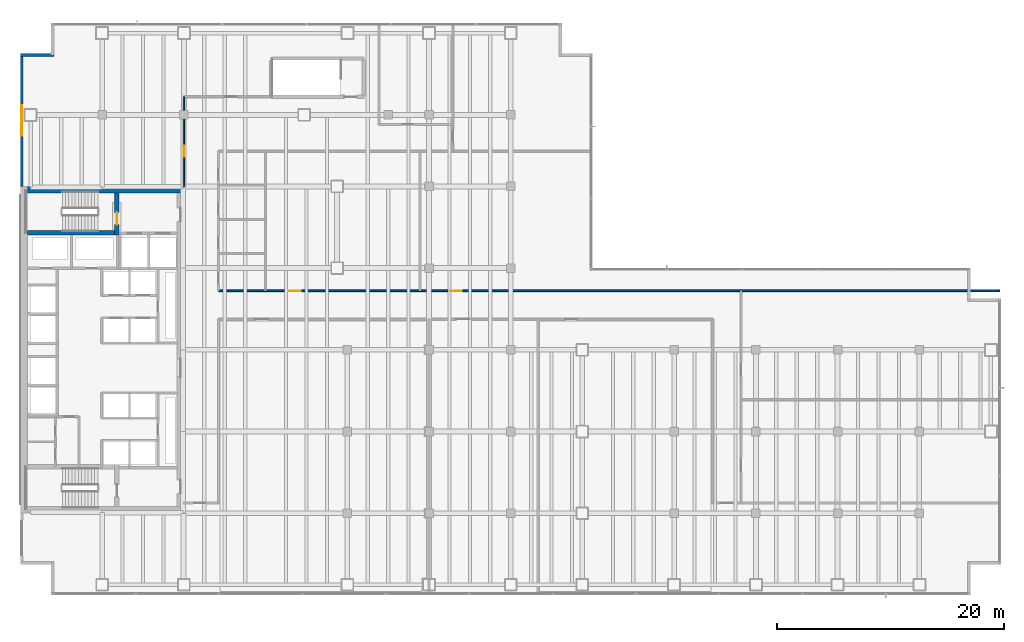
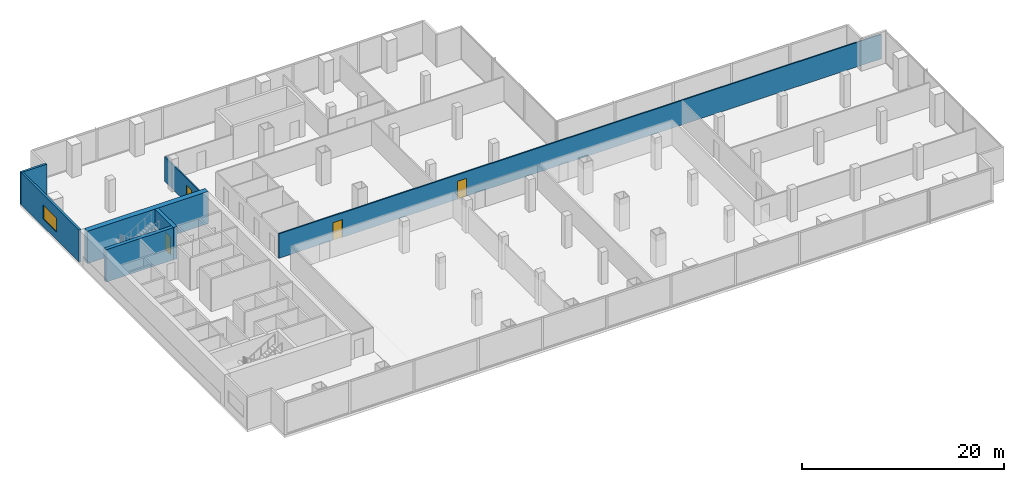
# One storey, part 24 of 32: 7 walls, 4 doors, 1 window, 5 openings.
"""IFC4 building model written with IfcOpenShell, lengths in metres."""

import ifcopenshell
import ifcopenshell.guid

model = None  # the IFC model being written
_history = None  # IfcOwnerHistory: only IFC2X3 demands one
_inside = {}  # id of a spatial element -> (the spatial element, [elements in it])
_under = {}  # id of a project, library or spatial element -> (it, [spatial elements below it])
_declared = {}  # id of a project -> (the project, [libraries it declares])
_typed = {}  # id of a type object -> (the type object, [elements of that type])
_made_of = {}  # id of a material, layer set ... -> (it, [elements and type objects made of it])


def new_model(schema):
    """Start an empty IFC model of exactly this schema.

    Asked for "IFC4X3", IfcOpenShell would pick the latest addendum, in which some entities
    have other attributes; the version numbers below select the first issue.
    IFC2X3 requires an IfcOwnerHistory on every rooted entity: one is made here for all.
    """
    global model, _history
    if schema == "IFC4X3":
        model = ifcopenshell.file(schema_version=(4, 3, 0, 0))
    else:
        model = ifcopenshell.file(schema=schema)
    _inside.clear()
    _under.clear()
    _declared.clear()
    _typed.clear()
    _made_of.clear()
    _history = None
    if model.schema == "IFC2X3":
        org = make("IfcOrganization", Name="unknown")
        user = make(
            "IfcPersonAndOrganization",
            ThePerson=make("IfcPerson", FamilyName="unknown"),
            TheOrganization=org,
        )
        app = make(
            "IfcApplication",
            ApplicationDeveloper=org,
            Version="unknown",
            ApplicationFullName="unknown",
            ApplicationIdentifier="unknown",
        )
        _history = make(
            "IfcOwnerHistory",
            OwningUser=user,
            OwningApplication=app,
            ChangeAction="ADDED",
            CreationDate=0,
        )
    return model


def make(cls, **values):
    """One entity of the class cls with the attributes given. An attribute that is None is left unset."""
    return model.create_entity(
        cls, **{name: value for name, value in values.items() if value is not None}
    )


def rooted(cls, **values):
    """An entity with a GlobalId (a new one), such as an element, a storey or a relation."""
    return make(cls, GlobalId=ifcopenshell.guid.new(), OwnerHistory=_history, **values)


def si_unit(unit_type, name, prefix=None):
    """IfcSIUnit, for example si_unit("LENGTHUNIT", "METRE", prefix="MILLI")."""
    return make("IfcSIUnit", UnitType=unit_type, Prefix=prefix, Name=name)


def assignment(units):
    """IfcUnitAssignment: the units of a project."""
    return None if units is None else make("IfcUnitAssignment", Units=units)


def point(xyz):
    """IfcCartesianPoint."""
    return None if xyz is None else make("IfcCartesianPoint", Coordinates=xyz)


def direction(xyz):
    """IfcDirection."""
    return None if xyz is None else make("IfcDirection", DirectionRatios=xyz)


def frame(location, z_axis=None, x_axis=None):
    """IfcAxis2Placement3D, a coordinate frame: its origin and axes. An axis left out is left unset."""
    return make(
        "IfcAxis2Placement3D",
        Location=point(location),
        Axis=direction(z_axis),
        RefDirection=direction(x_axis),
    )


def frame_2d(location, x_axis=None):
    """IfcAxis2Placement2D, a coordinate frame in the plane: its origin and x axis."""
    return make(
        "IfcAxis2Placement2D", Location=point(location), RefDirection=direction(x_axis)
    )


def origin():
    """The frame at (0, 0, 0) with its axes left unset."""
    return frame((0.0, 0.0, 0.0))


def place(relative_to, where):
    """IfcLocalPlacement: puts the frame where relative to a parent placement (None: the world)."""
    return make(
        "IfcLocalPlacement", PlacementRelTo=relative_to, RelativePlacement=where
    )


def context(
    kind, dimensions, precision=None, world=None, true_north=None, identifier=None
):
    """IfcGeometricRepresentationContext, for example the 3D "Model" context."""
    return make(
        "IfcGeometricRepresentationContext",
        ContextIdentifier=identifier,
        ContextType=kind,
        CoordinateSpaceDimension=dimensions,
        Precision=precision,
        WorldCoordinateSystem=world,
        TrueNorth=true_north,
    )


def subcontext(parent, identifier, kind, view, scale=None):
    """IfcGeometricRepresentationSubContext, for example "Body" below "Model"."""
    return make(
        "IfcGeometricRepresentationSubContext",
        ContextIdentifier=identifier,
        ContextType=kind,
        ParentContext=parent,
        TargetScale=scale,
        TargetView=view,
    )


def project(units=None, contexts=None):
    """IfcProject with its units and contexts."""
    return rooted(
        "IfcProject",
        Name="project",
        RepresentationContexts=contexts,
        UnitsInContext=assignment(units),
    )


def spatial(cls, under=None, at=None, **own):
    """A site, building, storey or space (cls), placed at a placement, below another one or the project."""
    s = rooted(cls, ObjectPlacement=at, **own)
    if under is not None:
        _under.setdefault(under.id(), (under, []))[1].append(s)
    return s


def profile(cls, at=None, kind="AREA", **sizes):
    """A parametric profile (cls). Its sizes go by their IFC names, for example OverallWidth=200.0."""
    return make(cls, ProfileType=kind, Position=at, **sizes)


def rectangle(**sizes):
    """IfcRectangleProfileDef."""
    return profile("IfcRectangleProfileDef", **sizes)


def extrude(swept, where, along, depth):
    """IfcExtrudedAreaSolid: the profile swept, set in the frame where, extruded along a direction by depth."""
    return make(
        "IfcExtrudedAreaSolid",
        SweptArea=swept,
        Position=where,
        ExtrudedDirection=direction(along),
        Depth=depth,
    )


def shape(context_of_items, identifier, shape_type, items):
    """IfcShapeRepresentation: the items that make up one representation, for example the "Body"."""
    return make(
        "IfcShapeRepresentation",
        ContextOfItems=context_of_items,
        RepresentationIdentifier=identifier,
        RepresentationType=shape_type,
        Items=items,
    )


def material(Name=None, Category=None):
    """IfcMaterial."""
    return make("IfcMaterial", Name=Name, Category=Category)


def layer(
    of_material, thickness, ventilated=None, Name=None, Category=None, Priority=None
):
    """IfcMaterialLayer: one layer of a wall or slab, of a material (None: an air gap)."""
    return make(
        "IfcMaterialLayer",
        Material=of_material,
        LayerThickness=thickness,
        IsVentilated=ventilated,
        Name=Name,
        Category=Category,
        Priority=Priority,
    )


def layer_set(layers, Name=None):
    """IfcMaterialLayerSet."""
    return make("IfcMaterialLayerSet", MaterialLayers=layers, LayerSetName=Name)


def made_of(thing, what):
    """Note that an element or type object is made of a material, layer set ...; save() writes the relation."""
    if what is not None:
        _made_of.setdefault(what.id(), (what, []))[1].append(thing)
    return thing


def type_object(cls, material=None, **own):
    """A type object (cls), such as IfcWallType, which elements share."""
    return made_of(rooted(cls, **own), material)


def element(
    cls,
    number,
    at=None,
    inside=None,
    cuts=None,
    type_object=None,
    material=None,
    context=None,
    identifier="Body",
    shape_type=None,
    held_by="IfcProductDefinitionShape",
    body=None,
    shapes=None,
    **own,
):
    """One element of the class cls, such as IfcWall. Its Tag is "e" and its number.

    at: its placement. inside: the storey or other place that contains it. cuts: it is an
    opening in that element (IfcRelVoidsElement). A single representation is given by context,
    identifier, shape_type and body (its items); several are given by shapes. held_by: the class
    of the entity that holds the representations. save() writes the other relations.
    """
    e = rooted(cls, Tag="e%d" % number, ObjectPlacement=at, **own)
    if body is not None:
        shapes = [shape(context, identifier, shape_type, body)]
    if shapes is not None:
        e.Representation = make(held_by, Representations=shapes)
    if inside is not None:
        _inside.setdefault(inside.id(), (inside, []))[1].append(e)
    if cuts is not None:
        rooted(
            "IfcRelVoidsElement", RelatingBuildingElement=cuts, RelatedOpeningElement=e
        )
    if type_object is not None:
        _typed.setdefault(type_object.id(), (type_object, []))[1].append(e)
    return made_of(e, material)


def fill(opening, filler):
    """IfcRelFillsElement: the door or window that sits in an opening."""
    return rooted(
        "IfcRelFillsElement",
        RelatingOpeningElement=opening,
        RelatedBuildingElement=filler,
    )


def aggregate(whole, parts):
    """IfcRelAggregates: a whole, such as a stair, and the parts it consists of."""
    return rooted("IfcRelAggregates", RelatingObject=whole, RelatedObjects=parts)


def save(model, path):
    """Write the relations noted so far, then the file.

    IfcRelAggregates (storeys below a building ...), IfcRelContainedInSpatialStructure (elements
    in a storey), IfcRelDefinesByType, IfcRelAssociatesMaterial and IfcRelDeclares: one each for
    every whole, place, type object, material and project.
    """
    for whole, parts in _under.values():
        aggregate(whole, parts)
    for where, things in _inside.values():
        rooted(
            "IfcRelContainedInSpatialStructure",
            RelatedElements=things,
            RelatingStructure=where,
        )
    for kind, things in _typed.values():
        rooted("IfcRelDefinesByType", RelatedObjects=things, RelatingType=kind)
    for what, things in _made_of.values():
        rooted("IfcRelAssociatesMaterial", RelatedObjects=things, RelatingMaterial=what)
    for by, libraries in _declared.values():
        rooted("IfcRelDeclares", RelatingContext=by, RelatedDefinitions=libraries)
    model.write(path)


model = new_model("IFC4")

# Units and contexts
model_context = context("Model", 3, precision=1e-05, world=origin(), true_north=direction((0.0, 1.0)))
body_context = subcontext(model_context, "Body", "Model", "MODEL_VIEW")
ifc_project = project(units=[si_unit("LENGTHUNIT", "METRE"), si_unit("AREAUNIT", "SQUARE_METRE"), si_unit("VOLUMEUNIT", "CUBIC_METRE"), si_unit("PLANEANGLEUNIT", "RADIAN"), si_unit("MASSUNIT", "GRAM", prefix="KILO")], contexts=[model_context])

# Site, building, storey
site_placement = place(None, origin())
site = spatial("IfcSite", under=ifc_project, at=site_placement, CompositionType="ELEMENT")
building_placement = place(site_placement, origin())
building = spatial("IfcBuilding", under=site, at=building_placement, Name="Cobrela Telecom Tower", CompositionType="ELEMENT")
storey_placement = place(building_placement, frame((0.0, 0.0, 22.050048828125)))
storey = spatial("IfcBuildingStorey", under=building, at=storey_placement, Name="L05", CompositionType="ELEMENT", Elevation=22.050048828125)

# Wall
ifc_material_1 = material(Name="Concrete C50/60", Category="concrete")
ifc_layer_1 = layer(ifc_material_1, 0.60009765625)
ifc_layer_set_1 = layer_set([ifc_layer_1], Name="Concrete C50/60")
wall_type_1 = type_object("IfcWallType", Name="WALL-CORE-C50-600", PredefinedType="SHEAR", material=ifc_layer_set_1)
wall_1_placement = place(storey_placement, frame((0.60009765625, 35.699951171875, 0.0), z_axis=(0.0, 0.0, 1.0), x_axis=(1.0, 0.0, 0.0)))
element("IfcWall", 1, at=wall_1_placement, inside=storey, type_object=wall_type_1, Name="L05 North Core Shear Wall", PredefinedType="SHEAR", context=body_context, shape_type="SweptSolid", body=[
    extrude(rectangle(XDim=13.7998046875, YDim=0.60009765625, at=frame_2d((6.89990234375, 0.0))), origin(), (0.0, 0.0, 1.0), 3.89990234375),
])

# Wall, opening, window
ifc_material_2 = material(Name="Concrete C40/50", Category="concrete")
ifc_layer_2 = layer(ifc_material_2, 0.239990234375)
ifc_layer_set_2 = layer_set([ifc_layer_2], Name="Concrete C40/50")
wall_type_2 = type_object("IfcWallType", Name="WALL-EXT-300", PredefinedType="STANDARD", material=ifc_layer_set_2)
wall_2_placement = place(storey_placement, frame((0.1201171875, 36.0, 0.0), z_axis=(0.0, 0.0, 1.0), x_axis=(0.0, 1.0, 0.0)))
wall_2 = element("IfcWall", 2, at=wall_2_placement, inside=storey, type_object=wall_type_2, Name="L05 Insulated Facade Wall 04", PredefinedType="STANDARD", context=body_context, shape_type="SweptSolid", body=[
    extrude(rectangle(XDim=11.580078125, YDim=0.239990234375, at=frame_2d((5.7900390625, 0.0))), origin(), (0.0, 0.0, 1.0), 3.89990234375),
])
opening_1_placement = place(wall_2_placement, frame((4.43994140625, 0.0, 0.949951171875)))
opening_1 = element("IfcOpeningElement", 3, at=opening_1_placement, cuts=wall_2, Name="Opening WN-33", PredefinedType="OPENING", context=body_context, shape_type="SweptSolid", body=[
    extrude(rectangle(XDim=2.699951171875, YDim=1.64990234375, at=frame_2d((1.35009765625, 0.824951171875))), frame((0.0, 0.1318359375, 0.0), z_axis=(0.0, -1.0, 0.0), x_axis=(1.0, 0.0, 0.0)), (0.0, 0.0, 1.0), 0.263916015625),
])
ifc_material_3 = material(Name="Solar-Control Bronze Low-E Glass", Category="glass")
window_type = type_object("IfcWindowType", Name="WIN-MOD-2700", PartitioningType="SINGLE_PANEL", PredefinedType="WINDOW", material=ifc_material_3)
window_placement = place(opening_1_placement, origin())
window = element("IfcWindow", 4, at=window_placement, inside=storey, type_object=window_type, Name="L05 Modular Punched Facade Window 029", OverallHeight=1.64990234375, OverallWidth=2.699951171875, PartitioningType="SINGLE_PANEL", PredefinedType="WINDOW", context=body_context, shape_type="SweptSolid", body=[
    extrude(rectangle(XDim=2.699951171875, YDim=1.64990234375, at=frame_2d((1.35009765625, 0.824951171875))), frame((0.0, 0.030029296875, 0.0), z_axis=(0.0, -1.0, 0.0), x_axis=(1.0, 0.0, 0.0)), (0.0, 0.0, 1.0), 0.06005859375),
])
fill(opening_1, window)

# Wall
wall_3_placement = place(storey_placement, frame((0.0, 47.580078125, 0.0), z_axis=(0.0, 0.0, 1.0), x_axis=(1.0, 0.0, 0.0)))
element("IfcWall", 5, at=wall_3_placement, inside=storey, type_object=wall_type_2, Name="L05 Insulated Facade Wall 05", PredefinedType="STANDARD", context=body_context, shape_type="SweptSolid", body=[
    extrude(rectangle(XDim=2.93994140625, YDim=0.239990234375, at=frame_2d((1.469970703125, 0.0))), origin(), (0.0, 0.0, 1.0), 3.89990234375),
])

# Wall, openings, doors
ifc_material_4 = material(Name="Fire-Rated Gypsum Plasterboard")
ifc_layer_3 = layer(ifc_material_4, 0.14990234375)
ifc_layer_set_3 = layer_set([ifc_layer_3], Name="Fire-Rated Gypsum Plasterboard")
wall_type_3 = type_object("IfcWallType", Name="WALL-PART-150", PredefinedType="PARTITIONING", material=ifc_layer_set_3)
wall_4_placement = place(storey_placement, frame((17.449951171875, 26.800048828125, 0.0), z_axis=(0.0, 0.0, 1.0), x_axis=(1.0, 0.0, 0.0)))
wall_4 = element("IfcWall", 6, at=wall_4_placement, inside=storey, type_object=wall_type_3, Name="L05 Interior Partition W-P4-CN", PredefinedType="PARTITIONING", context=body_context, shape_type="SweptSolid", body=[
    extrude(rectangle(XDim=68.830078125, YDim=0.14990234375, at=frame_2d((34.4150390625, 0.0))), origin(), (0.0, 0.0, 1.0), 2.9580078125),
])
opening_2_placement = place(wall_4_placement, frame((6.199951171875, 0.0, 0.0)))
opening_2 = element("IfcOpeningElement", 7, at=opening_2_placement, cuts=wall_4, Name="Opening DR-29", PredefinedType="OPENING", context=body_context, shape_type="SweptSolid", body=[
    extrude(rectangle(XDim=1.050048828125, YDim=2.14990234375, at=frame_2d((0.52490234375, 1.074951171875))), frame((0.0, 0.0869140625, 0.0), z_axis=(0.0, -1.0, 0.0), x_axis=(1.0, 0.0, 0.0)), (0.0, 0.0, 1.0), 0.173828125),
])
opening_3_placement = place(wall_4_placement, frame((20.39990234375, 0.0, 0.0)))
opening_3 = element("IfcOpeningElement", 8, at=opening_3_placement, cuts=wall_4, Name="Opening DR-29", PredefinedType="OPENING", context=body_context, shape_type="SweptSolid", body=[
    extrude(rectangle(XDim=1.050048828125, YDim=2.14990234375, at=frame_2d((0.52490234375, 1.074951171875))), frame((0.0, 0.0869140625, 0.0), z_axis=(0.0, -1.0, 0.0), x_axis=(1.0, 0.0, 0.0)), (0.0, 0.0, 1.0), 0.173828125),
])
ifc_material_5 = material(Name="Solid Engineered Oak Timber", Category="wood")
door_type_1 = type_object("IfcDoorType", Name="DOOR-INT-1050", OperationType="SINGLE_SWING_LEFT", PredefinedType="DOOR", material=ifc_material_5)
door_1_placement = place(opening_2_placement, origin())
door_1 = element("IfcDoor", 9, at=door_1_placement, inside=storey, type_object=door_type_1, Name="L05 Door DR-29", OperationType="SINGLE_SWING_RIGHT", OverallHeight=2.14990234375, OverallWidth=1.050048828125, PredefinedType="DOOR", context=body_context, shape_type="SweptSolid", body=[
    extrude(rectangle(XDim=1.050048828125, YDim=2.14990234375, at=frame_2d((0.52490234375, 1.074951171875))), frame((0.0, 0.02490234375, 0.0), z_axis=(0.0, -1.0, 0.0), x_axis=(1.0, 0.0, 0.0)), (0.0, 0.0, 1.0), 0.050048828125),
])
fill(opening_2, door_1)
door_2_placement = place(opening_3_placement, origin())
door_2 = element("IfcDoor", 10, at=door_2_placement, inside=storey, type_object=door_type_1, Name="L05 Door DR-29", OperationType="SINGLE_SWING_LEFT", OverallHeight=2.14990234375, OverallWidth=1.050048828125, PredefinedType="DOOR", context=body_context, shape_type="SweptSolid", body=[
    extrude(rectangle(XDim=1.050048828125, YDim=2.14990234375, at=frame_2d((0.52490234375, 1.074951171875))), frame((0.0, 0.02490234375, 0.0), z_axis=(0.0, -1.0, 0.0), x_axis=(1.0, 0.0, 0.0)), (0.0, 0.0, 1.0), 0.050048828125),
])
fill(opening_3, door_2)

# Wall, opening, door
wall_5_placement = place(storey_placement, frame((14.39990234375, 36.0, 0.0), z_axis=(0.0, 0.0, 1.0), x_axis=(0.0, 1.0, 0.0)))
wall_5 = element("IfcWall", 11, at=wall_5_placement, inside=storey, type_object=wall_type_3, Name="L05 Interior Partition W-P4-NWE", PredefinedType="PARTITIONING", context=body_context, shape_type="SweptSolid", body=[
    extrude(rectangle(XDim=7.89990234375, YDim=0.14990234375, at=frame_2d((3.949951171875, 0.0))), origin(), (0.0, 0.0, 1.0), 2.9580078125),
])
opening_4_placement = place(wall_5_placement, frame((2.60009765625, 0.0, 0.0)))
opening_4 = element("IfcOpeningElement", 12, at=opening_4_placement, cuts=wall_5, Name="Opening DR-31", PredefinedType="OPENING", context=body_context, shape_type="SweptSolid", body=[
    extrude(rectangle(XDim=1.0, YDim=2.14990234375, at=frame_2d((0.5, 1.074951171875))), frame((0.0, 0.0869140625, 0.0), z_axis=(0.0, -1.0, 0.0), x_axis=(1.0, 0.0, 0.0)), (0.0, 0.0, 1.0), 0.173828125),
])
door_type_2 = type_object("IfcDoorType", Name="DOOR-INT-1000", OperationType="SINGLE_SWING_LEFT", PredefinedType="DOOR", material=ifc_material_5)
door_3_placement = place(opening_4_placement, origin())
door_3 = element("IfcDoor", 13, at=door_3_placement, inside=storey, type_object=door_type_2, Name="L05 Door DR-31", OperationType="SINGLE_SWING_RIGHT", OverallHeight=2.14990234375, OverallWidth=1.0, PredefinedType="DOOR", context=body_context, shape_type="SweptSolid", body=[
    extrude(rectangle(XDim=1.0, YDim=2.14990234375, at=frame_2d((0.5, 1.074951171875))), frame((0.0, 0.02490234375, 0.0), z_axis=(0.0, -1.0, 0.0), x_axis=(1.0, 0.0, 0.0)), (0.0, 0.0, 1.0), 0.050048828125),
])
fill(opening_4, door_3)

# Wall
ifc_layer_4 = layer(ifc_material_2, 0.39990234375)
ifc_layer_set_4 = layer_set([ifc_layer_4], Name="Concrete C40/50")
wall_type_4 = type_object("IfcWallType", Name="WALL-SHAFT-C40-400", PredefinedType="SHEAR", material=ifc_layer_set_4)
wall_6_placement = place(storey_placement, frame((0.60009765625, 31.919921875, 0.0), z_axis=(0.0, 0.0, 1.0), x_axis=(1.0, 0.0, 0.0)))
element("IfcWall", 14, at=wall_6_placement, inside=storey, type_object=wall_type_4, Name="L05 North Stair Shear Wall", PredefinedType="SHEAR", context=body_context, shape_type="SweptSolid", body=[
    extrude(rectangle(XDim=7.699951171875, YDim=0.39990234375, at=frame_2d((3.85009765625, 0.0))), origin(), (0.0, 0.0, 1.0), 3.89990234375),
])

# Wall, opening, door
wall_7_placement = place(storey_placement, frame((8.5, 31.719970703125, 0.0), z_axis=(0.0, 0.0, 1.0), x_axis=(0.0, 1.0, 0.0)))
wall_7 = element("IfcWall", 15, at=wall_7_placement, inside=storey, type_object=wall_type_4, Name="L05 North Stair Lobby Shear Wall", PredefinedType="SHEAR", context=body_context, shape_type="SweptSolid", body=[
    extrude(rectangle(XDim=3.679931640625, YDim=0.39990234375, at=frame_2d((1.83984375, 0.0))), origin(), (0.0, 0.0, 1.0), 3.89990234375),
])
opening_5_placement = place(wall_7_placement, frame((0.89990234375, 0.0, 0.0)))
opening_5 = element("IfcOpeningElement", 16, at=opening_5_placement, cuts=wall_7, Name="Opening DR-59", PredefinedType="OPENING", context=body_context, shape_type="SweptSolid", body=[
    extrude(rectangle(XDim=1.10009765625, YDim=2.14990234375, at=frame_2d((0.550048828125, 1.074951171875))), frame((0.0, 0.2119140625, 0.0), z_axis=(0.0, -1.0, 0.0), x_axis=(1.0, 0.0, 0.0)), (0.0, 0.0, 1.0), 0.423828125),
])
ifc_material_6 = material(Name="Steel ASTM A36", Category="steel")
door_type_3 = type_object("IfcDoorType", Name="DOOR-FD60-1100", OperationType="SINGLE_SWING_LEFT", PredefinedType="DOOR", material=ifc_material_6)
door_4_placement = place(opening_5_placement, origin())
door_4 = element("IfcDoor", 17, at=door_4_placement, inside=storey, type_object=door_type_3, Name="L05 Door DR-59", OperationType="SINGLE_SWING_RIGHT", OverallHeight=2.14990234375, OverallWidth=1.10009765625, PredefinedType="DOOR", context=body_context, shape_type="SweptSolid", body=[
    extrude(rectangle(XDim=1.10009765625, YDim=2.14990234375, at=frame_2d((0.550048828125, 1.074951171875))), frame((0.0, 0.02490234375, 0.0), z_axis=(0.0, -1.0, 0.0), x_axis=(1.0, 0.0, 0.0)), (0.0, 0.0, 1.0), 0.050048828125),
])
fill(opening_5, door_4)

save(model, "model.ifc")
